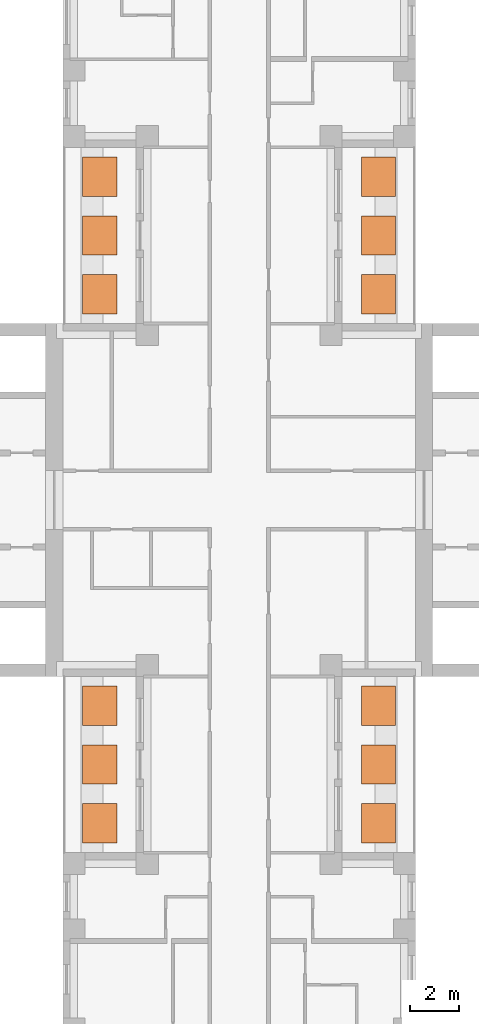
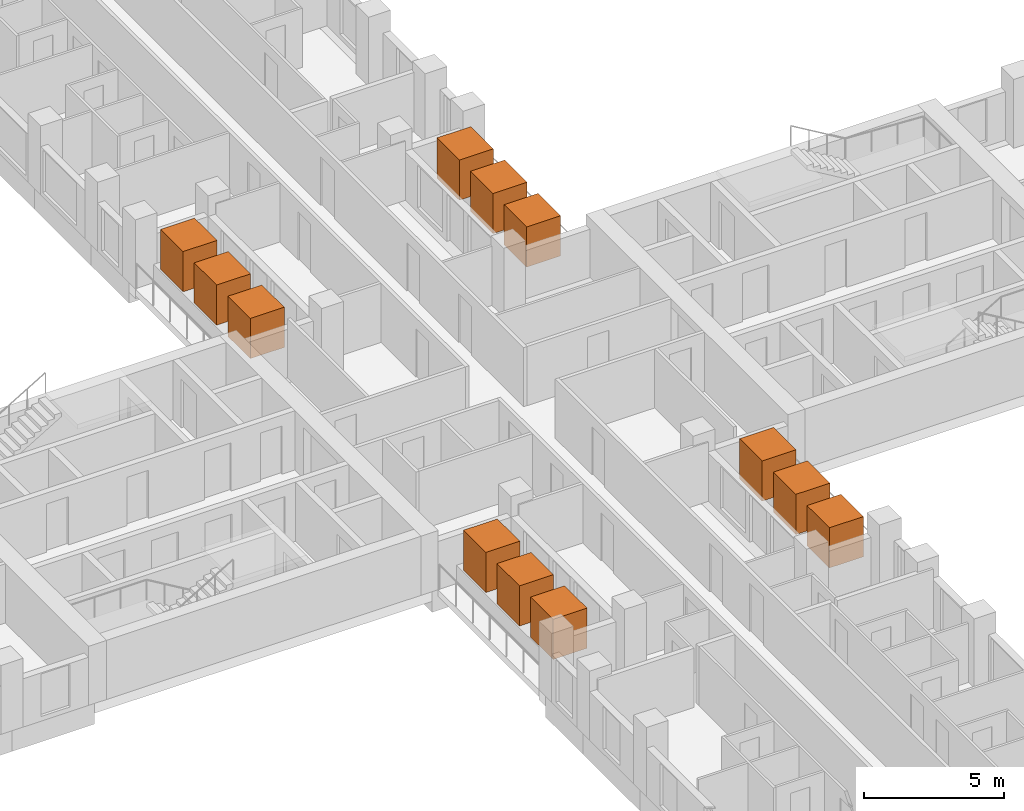
# One storey, part 15 of 15: 12 geographic elements.
"""IFC4 building model written with IfcOpenShell, lengths in metres."""

from ifc_helpers import new_model, si_unit, direction, frame, origin, origin_2d, place, context, subcontext, project, spatial, rectangle, extrude, material, element, save


model = new_model("IFC4")

# Units and contexts
model_context = context("Model", 3, precision=1e-05, world=origin(), true_north=direction((0.0, 1.0)))
body_context = subcontext(model_context, "Body", "Model", "MODEL_VIEW")
ifc_project = project(units=[si_unit("LENGTHUNIT", "METRE"), si_unit("AREAUNIT", "SQUARE_METRE"), si_unit("VOLUMEUNIT", "CUBIC_METRE"), si_unit("PLANEANGLEUNIT", "RADIAN"), si_unit("MASSUNIT", "GRAM", prefix="KILO")], contexts=[model_context])

# Site, building, storey
site_placement = place(None, origin())
site = spatial("IfcSite", under=ifc_project, at=site_placement, CompositionType="ELEMENT")
building_placement = place(site_placement, origin())
building = spatial("IfcBuilding", under=site, at=building_placement, Name="Fustian Cross Tower", CompositionType="ELEMENT")
storey_placement = place(building_placement, frame((0.0, 0.0, 29.699951171875)))
storey = spatial("IfcBuildingStorey", under=building, at=storey_placement, Name="L08", CompositionType="ELEMENT", Elevation=29.699951171875)

# Geographic elements
ifc_material = material(Name="Evergreen foliage")
for number, where, z_axis, x_axis, name in (
    (1, (5.68994140625, 8.39990234375, 0.800048828125), (0.0, 0.0, 1.0), (1.0, 0.0, 0.0), "TREE field maple"),
    (2, (5.68994140625, 10.800048828125, 0.800048828125), (0.0, 0.0, 1.0), (1.0, 0.0, 0.0), "TREE field maple"),
    (3, (5.68994140625, 13.199951171875, 0.800048828125), (0.0, 0.0, 1.0), (1.0, 0.0, 0.0), "TREE field maple"),
    (4, (-5.68994140625, 8.39990234375, 0.800048828125), (0.0, 0.0, 1.0), (1.0, 0.0, 0.0), "TREE field maple"),
    (5, (-5.68994140625, 10.800048828125, 0.800048828125), (0.0, 0.0, 1.0), (1.0, 0.0, 0.0), "TREE field maple"),
    (6, (-5.68994140625, 13.199951171875, 0.800048828125), (0.0, 0.0, 1.0), (1.0, 0.0, 0.0), "TREE field maple"),
    (7, (5.68994140625, -13.199951171875, 0.800048828125), (0.0, 0.0, 1.0), (1.0, 0.0, 0.0), "TREE field maple"),
    (8, (5.68994140625, -10.800048828125, 0.800048828125), (0.0, 0.0, 1.0), (1.0, 0.0, 0.0), "TREE field maple"),
    (9, (5.68994140625, -8.39990234375, 0.800048828125), (0.0, 0.0, 1.0), (1.0, 0.0, 0.0), "TREE field maple"),
    (10, (-5.68994140625, -13.199951171875, 0.800048828125), (0.0, 0.0, 1.0), (1.0, 0.0, 0.0), "TREE field maple"),
    (11, (-5.68994140625, -10.800048828125, 0.800048828125), (0.0, 0.0, 1.0), (1.0, 0.0, 0.0), "TREE field maple"),
    (12, (-5.68994140625, -8.39990234375, 0.800048828125), (0.0, 0.0, 1.0), (1.0, 0.0, 0.0), "TREE field maple"),
):
    element("IfcGeographicElement", number, at=place(storey_placement, frame(where, z_axis=z_axis, x_axis=x_axis)), inside=storey, material=ifc_material, Name=name, ObjectType="VEGETATION", PredefinedType="USERDEFINED", context=body_context, shape_type="SweptSolid", body=[
        extrude(rectangle(XDim=1.39990234375, YDim=1.60009765625, at=origin_2d()), origin(), (0.0, 0.0, 1.0), 1.75),
    ])

save(model, "model.ifc")
